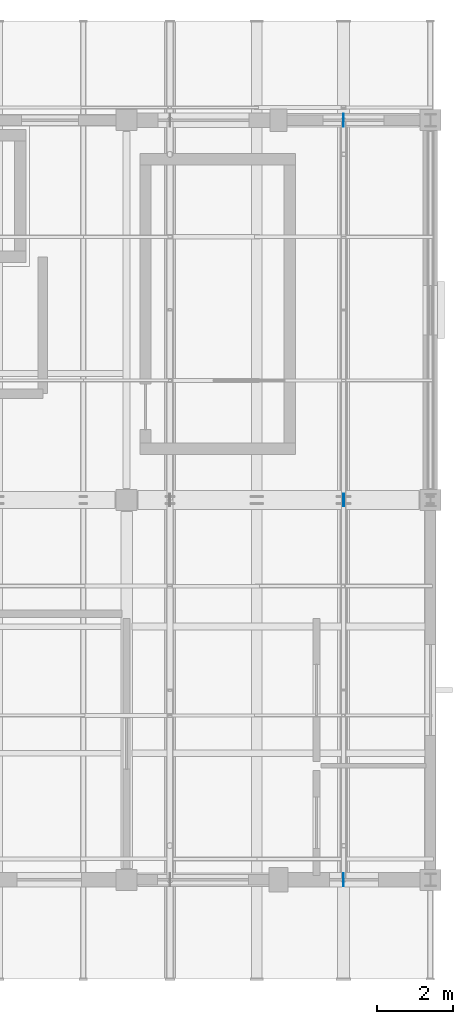
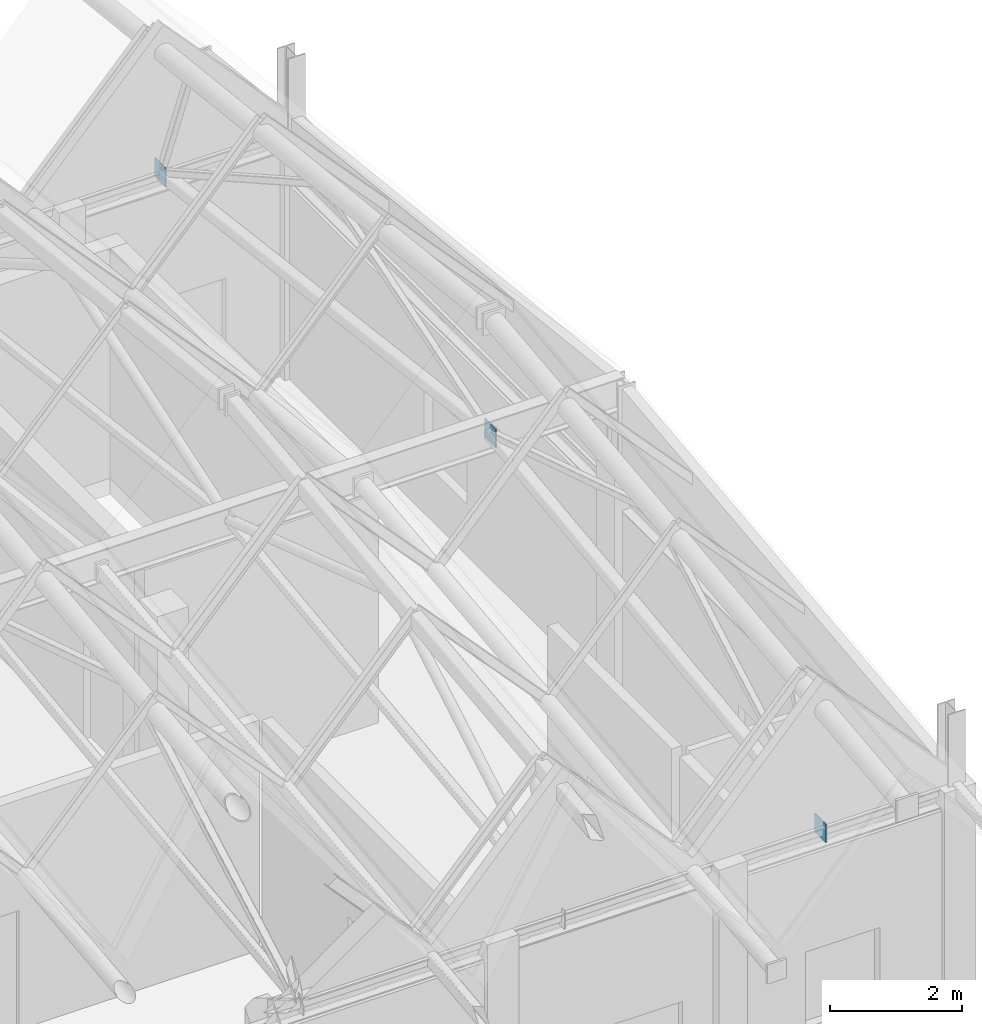
# One storey, part 9 of 15: 3 plates.
"""IFC4 building model written with IfcOpenShell, lengths in metres."""

from ifc_helpers import new_model, si_unit, direction, frame, origin, origin_2d, place, context, subcontext, project, spatial, rectangle, extrude, material, layer, layer_set, type_object, element, save


model = new_model("IFC4")

# Units and contexts
model_context = context("Model", 3, precision=1e-05, world=origin(), true_north=direction((0.0, 1.0)))
body_context = subcontext(model_context, "Body", "Model", "MODEL_VIEW")
ifc_project = project(units=[si_unit("LENGTHUNIT", "METRE"), si_unit("AREAUNIT", "SQUARE_METRE"), si_unit("VOLUMEUNIT", "CUBIC_METRE"), si_unit("PLANEANGLEUNIT", "RADIAN"), si_unit("MASSUNIT", "GRAM", prefix="KILO")], contexts=[model_context])

# Site, building, storey
site_placement = place(None, origin())
site = spatial("IfcSite", under=ifc_project, at=site_placement, CompositionType="ELEMENT")
building_placement = place(site_placement, origin())
building = spatial("IfcBuilding", under=site, at=building_placement, Name="Luwemba Playhouse", CompositionType="ELEMENT")
storey_placement = place(building_placement, frame((0.0, 0.0, 22.800048828125)))
storey = spatial("IfcBuildingStorey", under=building, at=storey_placement, Name="L05", CompositionType="ELEMENT", Elevation=22.800048828125)

# Plates
ifc_material = material(Name="Steel S355", Category="steel")
ifc_layer_1 = layer(ifc_material, 0.01611328125)
ifc_layer_set_1 = layer_set([ifc_layer_1], Name="Steel S355")
plate_type_1 = type_object("IfcPlateType", Name="PLT-GP1", PredefinedType="USERDEFINED", material=ifc_layer_set_1)
plate_1_placement = place(storey_placement, frame((169.71435546875, 115.0, 4.22998046875), z_axis=(0.0, 0.0, 1.0), x_axis=(1.0, 0.0, 0.0)))
element("IfcPlate", 1, at=plate_1_placement, inside=storey, type_object=plate_type_1, Name="Truss node gusset cap plate 0195", ObjectType="GUSSET PLATE", PredefinedType="USERDEFINED", context=body_context, shape_type="SweptSolid", body=[
    extrude(rectangle(XDim=0.01611328125, YDim=0.340087890625, at=origin_2d()), origin(), (0.0, 0.0, 1.0), 0.340087890625),
])
ifc_layer_2 = layer(ifc_material, 0.02001953125)
ifc_layer_set_2 = layer_set([ifc_layer_2], Name="Steel S355")
plate_type_2 = type_object("IfcPlateType", Name="PLT-GP2", PredefinedType="USERDEFINED", material=ifc_layer_set_2)
plate_2_placement = place(storey_placement, frame((169.71435546875, 95.0, 4.22998046875), z_axis=(0.0, 0.0, 1.0), x_axis=(1.0, 0.0, 0.0)))
element("IfcPlate", 2, at=plate_2_placement, inside=storey, type_object=plate_type_2, Name="Truss node gusset cap plate 0193", ObjectType="GUSSET PLATE", PredefinedType="USERDEFINED", context=body_context, shape_type="SweptSolid", body=[
    extrude(rectangle(XDim=0.02001953125, YDim=0.340087890625, at=origin_2d()), origin(), (0.0, 0.0, 1.0), 0.340087890625),
])
ifc_layer_3 = layer(ifc_material, 0.02490234375)
ifc_layer_set_3 = layer_set([ifc_layer_3], Name="Steel S355")
plate_type_3 = type_object("IfcPlateType", Name="PLT-GP3", PredefinedType="USERDEFINED", material=ifc_layer_set_3)
plate_3_placement = place(storey_placement, frame((169.71435546875, 105.0, 5.4716796875), z_axis=(0.0, 0.0, 1.0), x_axis=(1.0, 0.0, 0.0)))
element("IfcPlate", 3, at=plate_3_placement, inside=storey, type_object=plate_type_3, Name="Truss node gusset cap plate 0194", ObjectType="GUSSET PLATE", PredefinedType="USERDEFINED", context=body_context, shape_type="SweptSolid", body=[
    extrude(rectangle(XDim=0.02490234375, YDim=0.340087890625, at=origin_2d()), origin(), (0.0, 0.0, 1.0), 0.340087890625),
])

save(model, "model.ifc")
